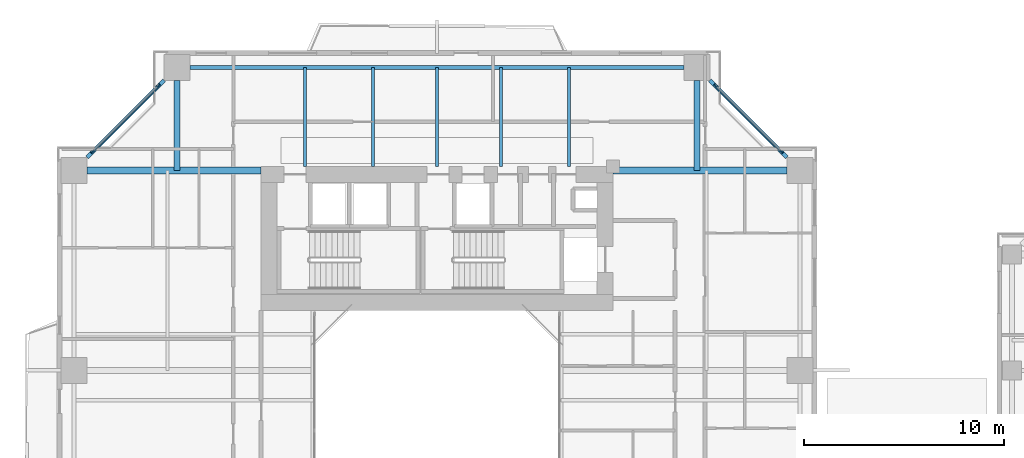
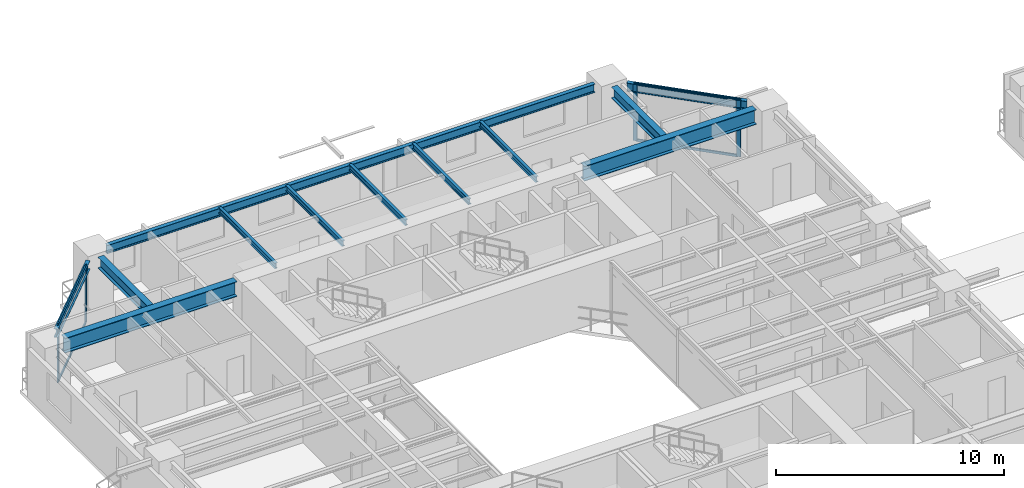
# One storey, part 8 of 23: 12 beams, 8 members, 2 elements without a shape of their own.
"""IFC4 building model written with IfcOpenShell, lengths in metres."""

from ifc_helpers import new_model, si_unit, direction, frame, origin, origin_2d, place, context, subcontext, project, spatial, rectangle, i_section, extrude, source, transform, mapped, material, layer, layer_set, material_profile, profile_set, type_object, element, aggregate, save


model = new_model("IFC4")

# Units and contexts
model_context = context("Model", 3, precision=1e-05, world=origin(), true_north=direction((0.0, 1.0)))
body_context = subcontext(model_context, "Body", "Model", "MODEL_VIEW")
ifc_project = project(units=[si_unit("LENGTHUNIT", "METRE"), si_unit("AREAUNIT", "SQUARE_METRE"), si_unit("VOLUMEUNIT", "CUBIC_METRE"), si_unit("PLANEANGLEUNIT", "RADIAN"), si_unit("MASSUNIT", "GRAM", prefix="KILO"), si_unit("THERMODYNAMICTEMPERATUREUNIT", "KELVIN"), si_unit("POWERUNIT", "WATT")], contexts=[model_context])

# Site, building, storey
site_placement = place(None, origin())
site = spatial("IfcSite", under=ifc_project, at=site_placement, CompositionType="ELEMENT")
building_placement = place(site_placement, origin())
building = spatial("IfcBuilding", under=site, at=building_placement, Name="Qiaomeng Ring Towers", CompositionType="ELEMENT")
storey_placement = place(building_placement, frame((0.0, 0.0, 50.25)))
storey = spatial("IfcBuildingStorey", under=building, at=storey_placement, Name="L13", CompositionType="ELEMENT", Elevation=50.25)

# Beams
ifc_material_1 = material(Name="Steel Q355B", Category="steel")
ifc_material_profile_1 = material_profile(ifc_material_1, i_section(OverallWidth=0.199951171875, OverallDepth=0.449951171875, WebThickness=0.009033203125, FlangeThickness=0.013916015625, FilletRadius=0.01806640625, at=origin_2d()), Name="HN 450x200x9x14")
ifc_profile_set_1 = profile_set([ifc_material_profile_1], Name="Steel Q355B")
beam_type_1 = type_object("IfcBeamType", Name="STR-BM-HN450", PredefinedType="SPANDREL", material=ifc_profile_set_1)
shared_shape_1 = source(origin(), body_context, "Body", "SweptSolid", [
    extrude(i_section(OverallWidth=0.199951171875, OverallDepth=0.449951171875, WebThickness=0.009033203125, FlangeThickness=0.013916015625, FilletRadius=0.01806640625, at=origin_2d()), origin(), (0.0, 0.0, 1.0), 24.7021484375),
])
beam_placement = place(storey_placement, frame((31.35107421875, 41.14990234375, 2.844970703125), z_axis=(-1.0, 0.0, 0.0), x_axis=(0.0, -1.0, 0.0)))
element("IfcBeam", 1, at=beam_placement, inside=storey, type_object=beam_type_1, Name="L13 beam STR-SP-L13-T1-N2-N1", PredefinedType="SPANDREL", context=body_context, shape_type="MappedRepresentation", body=[
    mapped(shared_shape_1, transform((0.0, 0.0, 0.0), x_axis=(1.0, 0.0, 0.0), y_axis=(0.0, 1.0, 0.0), z_axis=(0.0, 0.0, 1.0), scale=1.0)),
])
shared_shape_2 = source(origin(), body_context, "Body", "SweptSolid", [
    extrude(i_section(OverallWidth=0.199951171875, OverallDepth=0.449951171875, WebThickness=0.009033203125, FlangeThickness=0.013916015625, FilletRadius=0.01806640625, at=origin_2d()), origin(), (0.0, 0.0, 1.0), 5.446533203125),
])
for number, where, z_axis, x_axis, name in (
    (2, (36.500732421875, 36.6494140625, 2.844970703125), (-0.707106781187, 0.707106781187, 0.0), (-0.707106781187, -0.707106781187, 0.0), "L13 beam STR-SP-L13-T1-E4-N2"),
    (3, (5.3505859375, 40.500732421875, 2.844970703125), (-0.707106781187, -0.707106781187, 0.0), (0.707106781187, -0.707106781187, 0.0), "L13 beam STR-SP-L13-T1-N1-W4"),
):
    element("IfcBeam", number, at=place(storey_placement, frame(where, z_axis=z_axis, x_axis=x_axis)), inside=storey, type_object=beam_type_1, Name=name, PredefinedType="SPANDREL", context=body_context, shape_type="MappedRepresentation", body=[
        mapped(shared_shape_2, transform((0.0, 0.0, 0.0), x_axis=(1.0, 0.0, 0.0), y_axis=(0.0, 1.0, 0.0), z_axis=(0.0, 0.0, 1.0), scale=1.0)),
    ])
ifc_material_2 = material(Name="Steel Q390GJC", Category="steel")
ifc_material_profile_2 = material_profile(ifc_material_2, i_section(OverallWidth=0.35009765625, OverallDepth=0.800048828125, WebThickness=0.01611328125, FlangeThickness=0.028076171875, at=origin_2d()), Name="WH 800x350x16x28")
ifc_profile_set_2 = profile_set([ifc_material_profile_2], Name="Steel Q390GJC")
beam_type_2 = type_object("IfcBeamType", Name="STR-BM-WH800", PredefinedType="BEAM", material=ifc_profile_set_2)
shared_shape_3 = source(origin(), body_context, "Body", "SweptSolid", [
    extrude(i_section(OverallWidth=0.35009765625, OverallDepth=0.800048828125, WebThickness=0.01611328125, FlangeThickness=0.028076171875, at=origin_2d()), origin(), (0.0, 0.0, 1.0), 8.700927734375),
])
for number, where, z_axis, x_axis, name in (
    (4, (1.4990234375, 36.0, 2.669921875), (1.0, 0.0, 0.0), (0.0, 1.0, 0.0), "L13 beam STR-BM-L13-T1-RAD-W4"),
    (5, (27.800048828125, 36.0, 2.669921875), (1.0, 0.0, 0.0), (0.0, 1.0, 0.0), "L13 beam STR-BM-L13-T1-RAD-E4"),
):
    element("IfcBeam", number, at=place(storey_placement, frame(where, z_axis=z_axis, x_axis=x_axis)), inside=storey, type_object=beam_type_2, Name=name, PredefinedType="BEAM", context=body_context, shape_type="MappedRepresentation", body=[
        mapped(shared_shape_3, transform((0.0, 0.0, 0.0), x_axis=(1.0, 0.0, 0.0), y_axis=(0.0, 1.0, 0.0), z_axis=(0.0, 0.0, 1.0), scale=1.0)),
    ])
ifc_material_profile_3 = material_profile(ifc_material_1, i_section(OverallWidth=0.300048828125, OverallDepth=0.587890625, WebThickness=0.011962890625, FlangeThickness=0.02001953125, FilletRadius=0.028076171875, at=origin_2d()), Name="HM 588x300x12x20")
ifc_profile_set_3 = profile_set([ifc_material_profile_3], Name="Steel Q355B")
beam_type_3 = type_object("IfcBeamType", Name="STR-BM-HM588", PredefinedType="BEAM", material=ifc_profile_set_3)
shared_shape_4 = source(origin(), body_context, "Body", "SweptSolid", [
    extrude(i_section(OverallWidth=0.300048828125, OverallDepth=0.587890625, WebThickness=0.011962890625, FlangeThickness=0.02001953125, FilletRadius=0.028076171875, at=origin_2d()), origin(), (0.0, 0.0, 1.0), 4.5009765625),
])
for number, where, z_axis, x_axis, name in (
    (6, (6.0, 40.5009765625, 2.77587890625), (0.0, -1.0, 0.0), (1.0, 0.0, 0.0), "L13 beam STR-BM-L13-T1-RAD-N1"),
    (7, (32.0, 40.5009765625, 2.77587890625), (0.0, -1.0, 0.0), (1.0, 0.0, 0.0), "L13 beam STR-BM-L13-T1-RAD-N2"),
):
    element("IfcBeam", number, at=place(storey_placement, frame(where, z_axis=z_axis, x_axis=x_axis)), inside=storey, type_object=beam_type_3, Name=name, PredefinedType="BEAM", context=body_context, shape_type="MappedRepresentation", body=[
        mapped(shared_shape_4, transform((0.0, 0.0, 0.0), x_axis=(1.0, 0.0, 0.0), y_axis=(0.0, 1.0, 0.0), z_axis=(0.0, 0.0, 1.0), scale=1.0)),
    ])
ifc_material_profile_4 = material_profile(ifc_material_1, i_section(OverallWidth=0.14990234375, OverallDepth=0.300048828125, WebThickness=0.006591796875, FlangeThickness=0.009033203125, FilletRadius=0.012939453125, at=origin_2d()), Name="HN 300x150x6.5x9")
ifc_profile_set_4 = profile_set([ifc_material_profile_4], Name="Steel Q355B")
beam_type_4 = type_object("IfcBeamType", Name="STR-BM-HN300", PredefinedType="JOIST", material=ifc_profile_set_4)
shared_shape_5 = source(origin(), body_context, "Body", "SweptSolid", [
    extrude(i_section(OverallWidth=0.14990234375, OverallDepth=0.300048828125, WebThickness=0.006591796875, FlangeThickness=0.009033203125, FilletRadius=0.012939453125, at=origin_2d()), origin(), (0.0, 0.0, 1.0), 4.949951171875),
])
for number, where, z_axis, x_axis, name in (
    (8, (12.39990234375, 36.199951171875, 2.919921875), (0.0, 1.0, 0.0), (-1.0, 0.0, 0.0), "L13 beam STR-JST-L13-T1N-1"),
    (9, (15.800048828125, 36.199951171875, 2.919921875), (0.0, 1.0, 0.0), (-1.0, 0.0, 0.0), "L13 beam STR-JST-L13-T1N-2"),
    (10, (19.0, 36.199951171875, 2.919921875), (0.0, 1.0, 0.0), (-1.0, 0.0, 0.0), "L13 beam STR-JST-L13-T1N-3"),
    (11, (22.199951171875, 36.199951171875, 2.919921875), (0.0, 1.0, 0.0), (-1.0, 0.0, 0.0), "L13 beam STR-JST-L13-T1N-4"),
    (12, (25.60009765625, 36.199951171875, 2.919921875), (0.0, 1.0, 0.0), (-1.0, 0.0, 0.0), "L13 beam STR-JST-L13-T1N-5"),
):
    element("IfcBeam", number, at=place(storey_placement, frame(where, z_axis=z_axis, x_axis=x_axis)), inside=storey, type_object=beam_type_4, Name=name, PredefinedType="JOIST", context=body_context, shape_type="MappedRepresentation", body=[
        mapped(shared_shape_5, transform((0.0, 0.0, 0.0), x_axis=(1.0, 0.0, 0.0), y_axis=(0.0, 1.0, 0.0), z_axis=(0.0, 0.0, 1.0), scale=1.0)),
    ])

# Curtain wall, members
ifc_material_3 = material(Name="Fluorocarbon dark-grey aluminium", Category="aluminium")
ifc_layer = layer(ifc_material_3, 0.159912109375, Name="Fluorocarbon dark-grey aluminium")
ifc_layer_set = layer_set([ifc_layer], Name="Fluorocarbon dark-grey aluminium")
curtain_wall_type = type_object("IfcCurtainWallType", Name="ARC-CW-2", PredefinedType="NOTDEFINED", material=ifc_layer_set)
curtain_wall_1_placement = place(storey_placement, origin())
curtain_wall_1 = element("IfcCurtainWall", 13, at=curtain_wall_1_placement, inside=storey, type_object=curtain_wall_type, Name="L13 Curtain Wall CW2", PredefinedType="NOTDEFINED")
ifc_material_profile_5 = material_profile(ifc_material_3, rectangle(XDim=0.070068359375, YDim=0.179931640625, at=origin_2d()), Name="ALU MULL 70x180")
ifc_profile_set_5 = profile_set([ifc_material_profile_5], Name="Fluorocarbon dark-grey aluminium")
member_type_1 = type_object("IfcMemberType", Name="ARC-CWM-160", PredefinedType="MULLION", material=ifc_profile_set_5)
shared_shape_6 = source(origin(), body_context, "Body", "SweptSolid", [
    extrude(rectangle(XDim=0.070068359375, YDim=0.179931640625, at=origin_2d()), origin(), (0.0, 0.0, 1.0), 3.070068359375),
])
member_1_placement = place(storey_placement, frame((36.2353515625, 36.914794921875, 0.0), z_axis=(0.0, 0.0, 1.0), x_axis=(-0.707106781187, -0.707106781187, 0.0)))
member_1 = element("IfcMember", 14, at=member_1_placement, type_object=member_type_1, Name="CW2 mullion 1", PredefinedType="MULLION", context=body_context, shape_type="MappedRepresentation", body=[
    mapped(shared_shape_6, transform((0.0, 0.0, 0.0), x_axis=(1.0, 0.0, 0.0), y_axis=(0.0, 1.0, 0.0), z_axis=(0.0, 0.0, 1.0), scale=1.0)),
])
member_2_placement = place(storey_placement, frame((32.914794921875, 40.2353515625, 0.0), z_axis=(0.0, 0.0, 1.0), x_axis=(-0.707106781187, -0.707106781187, 0.0)))
member_2 = element("IfcMember", 15, at=member_2_placement, type_object=member_type_1, Name="CW2 mullion 2", PredefinedType="MULLION", context=body_context, shape_type="MappedRepresentation", body=[
    mapped(shared_shape_6, transform((0.0, 0.0, 0.0), x_axis=(1.0, 0.0, 0.0), y_axis=(0.0, 1.0, 0.0), z_axis=(0.0, 0.0, 1.0), scale=1.0)),
])

curtain_wall_2_placement = place(storey_placement, origin())
curtain_wall_2 = element("IfcCurtainWall", 16, at=curtain_wall_2_placement, inside=storey, type_object=curtain_wall_type, Name="L13 Curtain Wall CW2", PredefinedType="NOTDEFINED")
member_3_placement = place(storey_placement, frame((5.085205078125, 40.2353515625, 0.0), z_axis=(0.0, 0.0, 1.0), x_axis=(0.707106781187, -0.707106781187, 0.0)))
member_3 = element("IfcMember", 17, at=member_3_placement, type_object=member_type_1, Name="CW2 mullion 1", PredefinedType="MULLION", context=body_context, shape_type="MappedRepresentation", body=[
    mapped(shared_shape_6, transform((0.0, 0.0, 0.0), x_axis=(1.0, 0.0, 0.0), y_axis=(0.0, 1.0, 0.0), z_axis=(0.0, 0.0, 1.0), scale=1.0)),
])
member_4_placement = place(storey_placement, frame((1.7646484375, 36.914794921875, 0.0), z_axis=(0.0, 0.0, 1.0), x_axis=(0.707106781187, -0.707106781187, 0.0)))
member_4 = element("IfcMember", 18, at=member_4_placement, type_object=member_type_1, Name="CW2 mullion 2", PredefinedType="MULLION", context=body_context, shape_type="MappedRepresentation", body=[
    mapped(shared_shape_6, transform((0.0, 0.0, 0.0), x_axis=(1.0, 0.0, 0.0), y_axis=(0.0, 1.0, 0.0), z_axis=(0.0, 0.0, 1.0), scale=1.0)),
])

# Member
ifc_material_profile_6 = material_profile(ifc_material_3, rectangle(XDim=0.06494140625, YDim=0.1298828125, at=origin_2d()), Name="ALU TRAN 65x130")
ifc_profile_set_6 = profile_set([ifc_material_profile_6], Name="Fluorocarbon dark-grey aluminium")
member_type_2 = type_object("IfcMemberType", Name="ARC-CWT-120", PredefinedType="USERDEFINED", material=ifc_profile_set_6)
shared_shape_7 = source(origin(), body_context, "Body", "SweptSolid", [
    extrude(rectangle(XDim=0.06494140625, YDim=0.1298828125, at=origin_2d()), origin(), (0.0, 0.0, 1.0), 4.6259765625),
])
member_5_placement = place(storey_placement, frame((36.21044921875, 36.939453125, 0.032470703125), z_axis=(-0.707106781187, 0.707106781187, 0.0), x_axis=(-0.707106781187, -0.707106781187, 0.0)))
member_5 = element("IfcMember", 19, at=member_5_placement, type_object=member_type_2, Name="CW2 transom 1.1", ObjectType="TRANSOM", PredefinedType="USERDEFINED", context=body_context, shape_type="MappedRepresentation", body=[
    mapped(shared_shape_7, transform((0.0, 0.0, 0.0), x_axis=(1.0, 0.0, 0.0), y_axis=(0.0, 1.0, 0.0), z_axis=(0.0, 0.0, 1.0), scale=1.0)),
])

member_6_placement = place(storey_placement, frame((36.21044921875, 36.939453125, 3.03759765625), z_axis=(-0.707106781187, 0.707106781187, 0.0), x_axis=(-0.707106781187, -0.707106781187, 0.0)))
member_6 = element("IfcMember", 20, at=member_6_placement, type_object=member_type_2, Name="CW2 transom 1.2", ObjectType="TRANSOM", PredefinedType="USERDEFINED", context=body_context, shape_type="MappedRepresentation", body=[
    mapped(shared_shape_7, transform((0.0, 0.0, 0.0), x_axis=(1.0, 0.0, 0.0), y_axis=(0.0, 1.0, 0.0), z_axis=(0.0, 0.0, 1.0), scale=1.0)),
])

aggregate(curtain_wall_1, [member_1, member_2, member_5, member_6])

member_7_placement = place(storey_placement, frame((5.060546875, 40.21044921875, 0.032470703125), z_axis=(-0.707106781187, -0.707106781187, 0.0), x_axis=(0.707106781187, -0.707106781187, 0.0)))
member_7 = element("IfcMember", 21, at=member_7_placement, type_object=member_type_2, Name="CW2 transom 1.1", ObjectType="TRANSOM", PredefinedType="USERDEFINED", context=body_context, shape_type="MappedRepresentation", body=[
    mapped(shared_shape_7, transform((0.0, 0.0, 0.0), x_axis=(1.0, 0.0, 0.0), y_axis=(0.0, 1.0, 0.0), z_axis=(0.0, 0.0, 1.0), scale=1.0)),
])

member_8_placement = place(storey_placement, frame((5.060546875, 40.21044921875, 3.03759765625), z_axis=(-0.707106781187, -0.707106781187, 0.0), x_axis=(0.707106781187, -0.707106781187, 0.0)))
member_8 = element("IfcMember", 22, at=member_8_placement, type_object=member_type_2, Name="CW2 transom 1.2", ObjectType="TRANSOM", PredefinedType="USERDEFINED", context=body_context, shape_type="MappedRepresentation", body=[
    mapped(shared_shape_7, transform((0.0, 0.0, 0.0), x_axis=(1.0, 0.0, 0.0), y_axis=(0.0, 1.0, 0.0), z_axis=(0.0, 0.0, 1.0), scale=1.0)),
])

aggregate(curtain_wall_2, [member_3, member_4, member_7, member_8])

save(model, "model.ifc")
